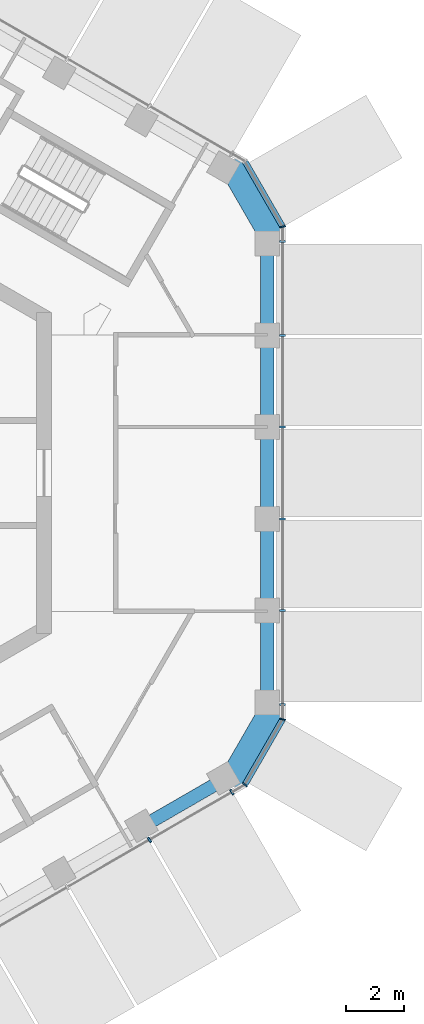
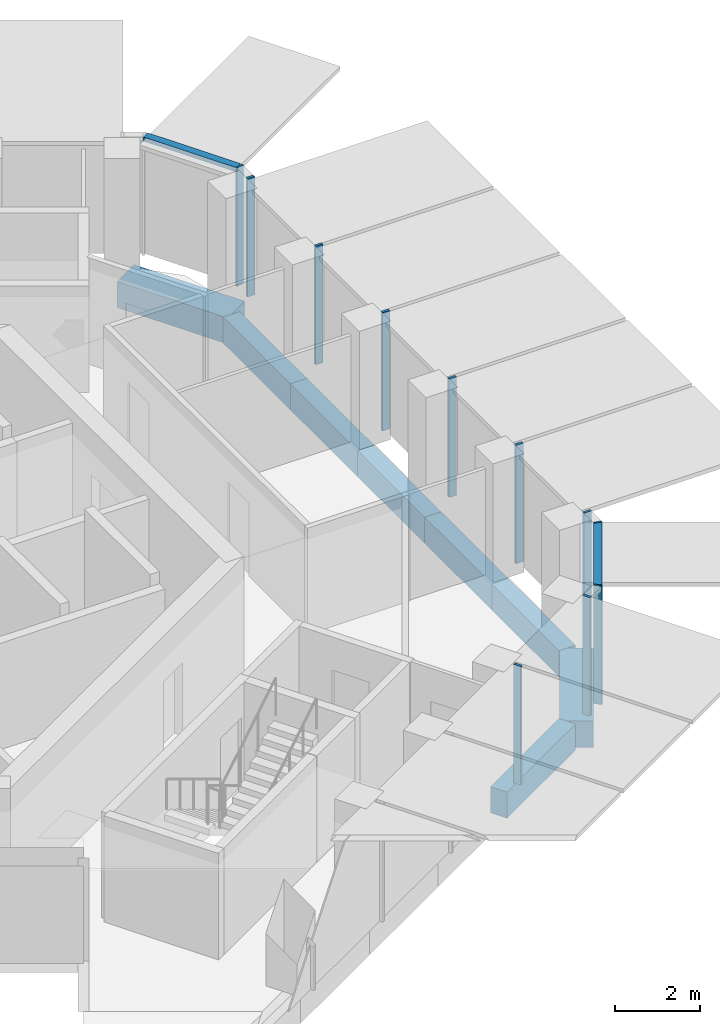
# One storey, part 4 of 17: 13 members, 8 beams, 4 elements without a shape of their own.
"""IFC4 building model written with IfcOpenShell, lengths in metres."""

from ifc_helpers import new_model, si_unit, direction, frame, origin, origin_2d, place, context, subcontext, project, spatial, rectangle, extrude, material, layer, layer_set, material_profile, profile_set, type_object, element, aggregate, save


model = new_model("IFC4")

# Units and contexts
model_context = context("Model", 3, precision=1e-05, world=origin(), true_north=direction((0.0, 1.0)))
body_context = subcontext(model_context, "Body", "Model", "MODEL_VIEW")
ifc_project = project(units=[si_unit("LENGTHUNIT", "METRE"), si_unit("AREAUNIT", "SQUARE_METRE"), si_unit("VOLUMEUNIT", "CUBIC_METRE"), si_unit("PLANEANGLEUNIT", "RADIAN"), si_unit("MASSUNIT", "GRAM", prefix="KILO")], contexts=[model_context])

# Site, building, storey
site_placement = place(None, origin())
site = spatial("IfcSite", under=ifc_project, at=site_placement, CompositionType="ELEMENT")
building_placement = place(site_placement, origin())
building = spatial("IfcBuilding", under=site, at=building_placement, Name="Ayvan Gate Tower", CompositionType="ELEMENT")
storey_placement = place(building_placement, frame((0.0, 0.0, 225.699951171875)))
storey = spatial("IfcBuildingStorey", under=building, at=storey_placement, Name="L60", CompositionType="ELEMENT", Elevation=225.699951171875)

# Beams
ifc_material_1 = material(Name="Concrete C40/50", Category="concrete")
ifc_material_profile_1 = material_profile(ifc_material_1, rectangle(XDim=0.800048828125, YDim=0.75, at=origin_2d()), Name="RC 800x750")
ifc_profile_set_1 = profile_set([ifc_material_profile_1], Name="Concrete C40/50")
beam_type_1 = type_object("IfcBeamType", Name="Corner spandrel beam RC 800x750 C40/50", PredefinedType="BEAM", material=ifc_profile_set_1)
for number, where, z_axis, x_axis, name in (
    (1, (17.078125, 8.005615234375, -0.724853515625), (-0.50002537861, 0.866010750942, 0.0), (-0.866010750942, -0.50002537861, 0.0), "SB-L60-6"),
    (2, (15.578125, -10.603515625, -0.724853515625), (0.50002537861, 0.866010750942, 0.0), (-0.866010750942, 0.50002537861, 0.0), "SB-L60-36"),
):
    element("IfcBeam", number, at=place(storey_placement, frame(where, z_axis=z_axis, x_axis=x_axis)), inside=storey, type_object=beam_type_1, Name=name, PredefinedType="BEAM", context=body_context, shape_type="SweptSolid", body=[
        extrude(rectangle(XDim=0.800048828125, YDim=0.75, at=origin_2d()), origin(), (0.0, 0.0, 1.0), 2.999755859375),
    ])
ifc_material_profile_2 = material_profile(ifc_material_1, rectangle(XDim=0.449951171875, YDim=0.75, at=origin_2d()), Name="RC 450x750")
ifc_profile_set_2 = profile_set([ifc_material_profile_2], Name="Concrete C40/50")
beam_type_2 = type_object("IfcBeamType", Name="Spandrel beam RC 450x750 C40/50", PredefinedType="BEAM", material=ifc_profile_set_2)
for number, where, z_axis, x_axis, name in (
    (3, (16.887451171875, -7.8955078125, -0.724853515625), (0.0, 1.0, 0.0), (-1.0, 0.0, 0.0), "SB-L60-1"),
    (4, (16.887451171875, -4.7373046875, -0.724853515625), (0.0, 1.0, 0.0), (-1.0, 0.0, 0.0), "SB-L60-2"),
    (5, (16.887451171875, -1.5791015625, -0.724853515625), (0.0, 1.0, 0.0), (-1.0, 0.0, 0.0), "SB-L60-3"),
    (6, (16.887451171875, 1.5791015625, -0.724853515625), (0.0, 1.0, 0.0), (-1.0, 0.0, 0.0), "SB-L60-4"),
    (7, (16.887451171875, 4.7373046875, -0.724853515625), (0.0, 1.0, 0.0), (-1.0, 0.0, 0.0), "SB-L60-5"),
):
    element("IfcBeam", number, at=place(storey_placement, frame(where, z_axis=z_axis, x_axis=x_axis)), inside=storey, type_object=beam_type_2, Name=name, PredefinedType="BEAM", context=body_context, shape_type="SweptSolid", body=[
        extrude(rectangle(XDim=0.449951171875, YDim=0.75, at=origin_2d()), origin(), (0.0, 0.0, 1.0), 3.158203125),
    ])
beam_placement = place(storey_placement, frame((12.5888671875, -12.109375, -0.724853515625), z_axis=(0.866030838723, 0.499990586292, 0.0), x_axis=(-0.499990586292, 0.866030838723, 0.0)))
element("IfcBeam", 8, at=beam_placement, inside=storey, type_object=beam_type_2, Name="SB-L60-35", PredefinedType="BEAM", context=body_context, shape_type="SweptSolid", body=[
    extrude(rectangle(XDim=0.449951171875, YDim=0.75, at=origin_2d()), origin(), (0.0, 0.0, 1.0), 3.2314453125),
])

# Curtain wall, members
ifc_material_2 = material(Name="Bronze anodised aluminium", Category="aluminium")
ifc_layer_1 = layer(ifc_material_2, 0.199951171875)
ifc_layer_set_1 = layer_set([ifc_layer_1], Name="Bronze anodised aluminium")
curtain_wall_type_1 = type_object("IfcCurtainWallType", Name="Stick curtain wall CW-2", PredefinedType="NOTDEFINED", material=ifc_layer_set_1)
curtain_wall_1_placement = place(storey_placement, origin())
curtain_wall_1 = element("IfcCurtainWall", 9, at=curtain_wall_1_placement, inside=storey, type_object=curtain_wall_type_1, Name="Stick curtain wall CW-2 L60", PredefinedType="NOTDEFINED")
ifc_material_profile_3 = material_profile(ifc_material_2, rectangle(XDim=0.199951171875, YDim=0.070068359375, at=origin_2d()), Name="Stick curtain wall CW-2 mullion 200 x 70")
ifc_profile_set_3 = profile_set([ifc_material_profile_3], Name="Bronze anodised aluminium")
member_type_1 = type_object("IfcMemberType", Name="Stick curtain wall CW-2 mullion 200 x 70", PredefinedType="MULLION", material=ifc_profile_set_3)
member_1_placement = place(storey_placement, frame((12.85791015625, -12.545654296875, 0.0), z_axis=(0.0, 0.0, 1.0), x_axis=(0.5, -0.866025403784, 0.0)))
member_1 = element("IfcMember", 10, at=member_1_placement, type_object=member_type_1, Name="CW-2 mullion 5", PredefinedType="MULLION", context=body_context, shape_type="SweptSolid", body=[
    extrude(rectangle(XDim=0.199951171875, YDim=0.070068359375, at=origin_2d()), origin(), (0.0, 0.0, 1.0), 3.400146484375),
])
member_2_placement = place(storey_placement, frame((15.679443359375, -10.91650390625, 0.0), z_axis=(0.0, 0.0, 1.0), x_axis=(0.5, -0.866025403784, 0.0)))
member_2 = element("IfcMember", 11, at=member_2_placement, type_object=member_type_1, Name="CW-2 mullion 6", PredefinedType="MULLION", context=body_context, shape_type="SweptSolid", body=[
    extrude(rectangle(XDim=0.199951171875, YDim=0.070068359375, at=origin_2d()), origin(), (0.0, 0.0, 1.0), 3.400146484375),
])
aggregate(curtain_wall_1, [member_1, member_2])

curtain_wall_2_placement = place(storey_placement, origin())
curtain_wall_2 = element("IfcCurtainWall", 12, at=curtain_wall_2_placement, inside=storey, type_object=curtain_wall_type_1, Name="Stick curtain wall CW-2 L60", PredefinedType="NOTDEFINED")
member_3_placement = place(storey_placement, frame((17.41259765625, -7.9150390625, 0.0), z_axis=(0.0, 0.0, 1.0), x_axis=(1.0, 0.0, 0.0)))
member_3 = element("IfcMember", 13, at=member_3_placement, type_object=member_type_1, Name="CW-2 mullion 1", PredefinedType="MULLION", context=body_context, shape_type="SweptSolid", body=[
    extrude(rectangle(XDim=0.199951171875, YDim=0.070068359375, at=origin_2d()), origin(), (0.0, 0.0, 1.0), 3.400146484375),
])
member_4_placement = place(storey_placement, frame((17.41259765625, -4.7080078125, 0.0), z_axis=(0.0, 0.0, 1.0), x_axis=(1.0, 0.0, 0.0)))
member_4 = element("IfcMember", 14, at=member_4_placement, type_object=member_type_1, Name="CW-2 mullion 2", PredefinedType="MULLION", context=body_context, shape_type="SweptSolid", body=[
    extrude(rectangle(XDim=0.199951171875, YDim=0.070068359375, at=origin_2d()), origin(), (0.0, 0.0, 1.0), 3.400146484375),
])
member_5_placement = place(storey_placement, frame((17.41259765625, -1.569091796875, 0.0), z_axis=(0.0, 0.0, 1.0), x_axis=(1.0, 0.0, 0.0)))
member_5 = element("IfcMember", 15, at=member_5_placement, type_object=member_type_1, Name="CW-2 mullion 3", PredefinedType="MULLION", context=body_context, shape_type="SweptSolid", body=[
    extrude(rectangle(XDim=0.199951171875, YDim=0.070068359375, at=origin_2d()), origin(), (0.0, 0.0, 1.0), 3.400146484375),
])
member_6_placement = place(storey_placement, frame((17.41259765625, 1.569091796875, 0.0), z_axis=(0.0, 0.0, 1.0), x_axis=(1.0, 0.0, 0.0)))
member_6 = element("IfcMember", 16, at=member_6_placement, type_object=member_type_1, Name="CW-2 mullion 4", PredefinedType="MULLION", context=body_context, shape_type="SweptSolid", body=[
    extrude(rectangle(XDim=0.199951171875, YDim=0.070068359375, at=origin_2d()), origin(), (0.0, 0.0, 1.0), 3.400146484375),
])
member_7_placement = place(storey_placement, frame((17.41259765625, 4.7080078125, 0.0), z_axis=(0.0, 0.0, 1.0), x_axis=(1.0, 0.0, 0.0)))
member_7 = element("IfcMember", 17, at=member_7_placement, type_object=member_type_1, Name="CW-2 mullion 5", PredefinedType="MULLION", context=body_context, shape_type="SweptSolid", body=[
    extrude(rectangle(XDim=0.199951171875, YDim=0.070068359375, at=origin_2d()), origin(), (0.0, 0.0, 1.0), 3.400146484375),
])
member_8_placement = place(storey_placement, frame((17.41259765625, 7.9150390625, 0.0), z_axis=(0.0, 0.0, 1.0), x_axis=(1.0, 0.0, 0.0)))
member_8 = element("IfcMember", 18, at=member_8_placement, type_object=member_type_1, Name="CW-2 mullion 6", PredefinedType="MULLION", context=body_context, shape_type="SweptSolid", body=[
    extrude(rectangle(XDim=0.199951171875, YDim=0.070068359375, at=origin_2d()), origin(), (0.0, 0.0, 1.0), 3.400146484375),
])
aggregate(curtain_wall_2, [member_3, member_4, member_5, member_6, member_7, member_8])

ifc_layer_2 = layer(ifc_material_2, 0.199951171875)
ifc_layer_set_2 = layer_set([ifc_layer_2], Name="Bronze anodised aluminium")
curtain_wall_type_2 = type_object("IfcCurtainWallType", Name="Stick curtain wall CW-6", PredefinedType="NOTDEFINED", material=ifc_layer_set_2)
curtain_wall_3_placement = place(storey_placement, origin())
curtain_wall_3 = element("IfcCurtainWall", 19, at=curtain_wall_3_placement, inside=storey, type_object=curtain_wall_type_2, Name="Stick curtain wall CW-6 L60", PredefinedType="NOTDEFINED")
ifc_material_profile_4 = material_profile(ifc_material_2, rectangle(XDim=0.199951171875, YDim=0.050048828125, at=origin_2d()), Name="Stick curtain wall CW-6 mullion 200 x 50")
ifc_profile_set_4 = profile_set([ifc_material_profile_4], Name="Bronze anodised aluminium")
member_type_2 = type_object("IfcMemberType", Name="Stick curtain wall CW-6 mullion 200 x 50", PredefinedType="MULLION", material=ifc_profile_set_4)
member_9_placement = place(storey_placement, frame((16.12109375, -10.66162109375, 0.0), z_axis=(0.0, 0.0, 1.0), x_axis=(0.707106781187, -0.707106781187, 0.0)))
member_9 = element("IfcMember", 20, at=member_9_placement, type_object=member_type_2, Name="CW-6 mullion 2", PredefinedType="MULLION", context=body_context, shape_type="SweptSolid", body=[
    extrude(rectangle(XDim=0.199951171875, YDim=0.050048828125, at=origin_2d()), origin(), (0.0, 0.0, 1.0), 3.400146484375),
])
member_10_placement = place(storey_placement, frame((17.41259765625, -8.425048828125, 0.0), z_axis=(0.0, 0.0, 1.0), x_axis=(0.965925826289, -0.258819045103, 0.0)))
member_10 = element("IfcMember", 21, at=member_10_placement, type_object=member_type_2, Name="CW-6 mullion 3", PredefinedType="MULLION", context=body_context, shape_type="SweptSolid", body=[
    extrude(rectangle(XDim=0.199951171875, YDim=0.050048828125, at=origin_2d()), origin(), (0.0, 0.0, 1.0), 3.400146484375),
])

# Curtain wall, member
curtain_wall_4_placement = place(storey_placement, origin())
curtain_wall_4 = element("IfcCurtainWall", 22, at=curtain_wall_4_placement, inside=storey, type_object=curtain_wall_type_2, Name="Stick curtain wall CW-6 L60", PredefinedType="NOTDEFINED")
member_11_placement = place(storey_placement, frame((17.41259765625, 8.425048828125, 0.0), z_axis=(0.0, 0.0, 1.0), x_axis=(0.965925826289, 0.258819045103, 0.0)))
member_11 = element("IfcMember", 23, at=member_11_placement, type_object=member_type_2, Name="CW-6 mullion 2", PredefinedType="MULLION", context=body_context, shape_type="SweptSolid", body=[
    extrude(rectangle(XDim=0.199951171875, YDim=0.050048828125, at=origin_2d()), origin(), (0.0, 0.0, 1.0), 3.400146484375),
])

# Member
ifc_material_profile_5 = material_profile(ifc_material_2, rectangle(XDim=0.199951171875, YDim=0.1201171875, at=origin_2d()), Name="Stick curtain wall CW-6 transom 200 x 120")
ifc_profile_set_5 = profile_set([ifc_material_profile_5], Name="Bronze anodised aluminium")
member_type_3 = type_object("IfcMemberType", Name="Stick curtain wall CW-6 transom 200 x 120", PredefinedType="USERDEFINED", material=ifc_profile_set_5)
member_12_placement = place(storey_placement, frame((16.1337890625, -10.639892578125, 3.340087890625), z_axis=(0.49997559865, 0.866039491452, 0.0), x_axis=(-0.866039491452, 0.49997559865, 0.0)))
member_12 = element("IfcMember", 24, at=member_12_placement, type_object=member_type_3, Name="CW-6 transom 2", ObjectType="TRANSOM", PredefinedType="USERDEFINED", context=body_context, shape_type="SweptSolid", body=[
    extrude(rectangle(XDim=0.199951171875, YDim=0.1201171875, at=origin_2d()), origin(), (0.0, 0.0, 1.0), 2.532470703125),
])

aggregate(curtain_wall_3, [member_9, member_10, member_12])

member_13_placement = place(storey_placement, frame((17.39990234375, 8.44677734375, 3.340087890625), z_axis=(-0.49997559865, 0.866039491452, 0.0), x_axis=(-0.866039491452, -0.49997559865, 0.0)))
member_13 = element("IfcMember", 25, at=member_13_placement, type_object=member_type_3, Name="CW-6 transom 2", ObjectType="TRANSOM", PredefinedType="USERDEFINED", context=body_context, shape_type="SweptSolid", body=[
    extrude(rectangle(XDim=0.199951171875, YDim=0.1201171875, at=origin_2d()), origin(), (0.0, 0.0, 1.0), 2.532470703125),
])

aggregate(curtain_wall_4, [member_11, member_13])

save(model, "model.ifc")
